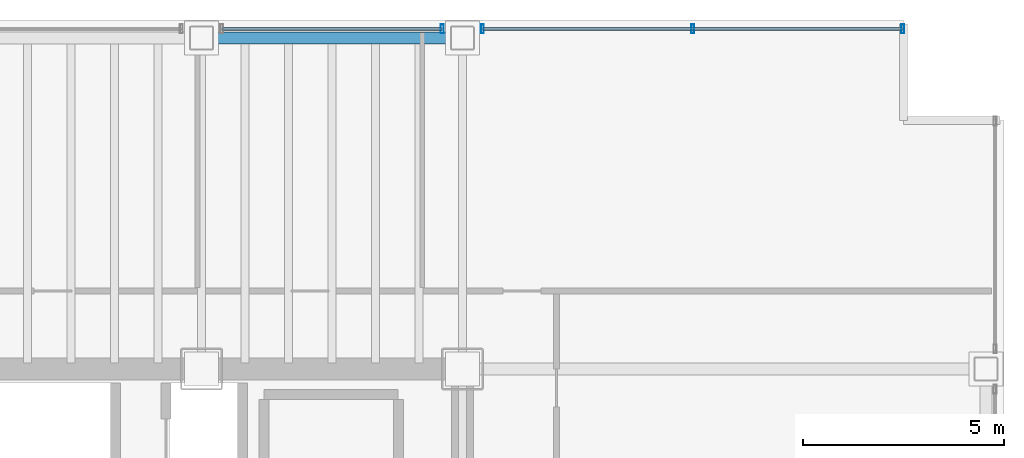
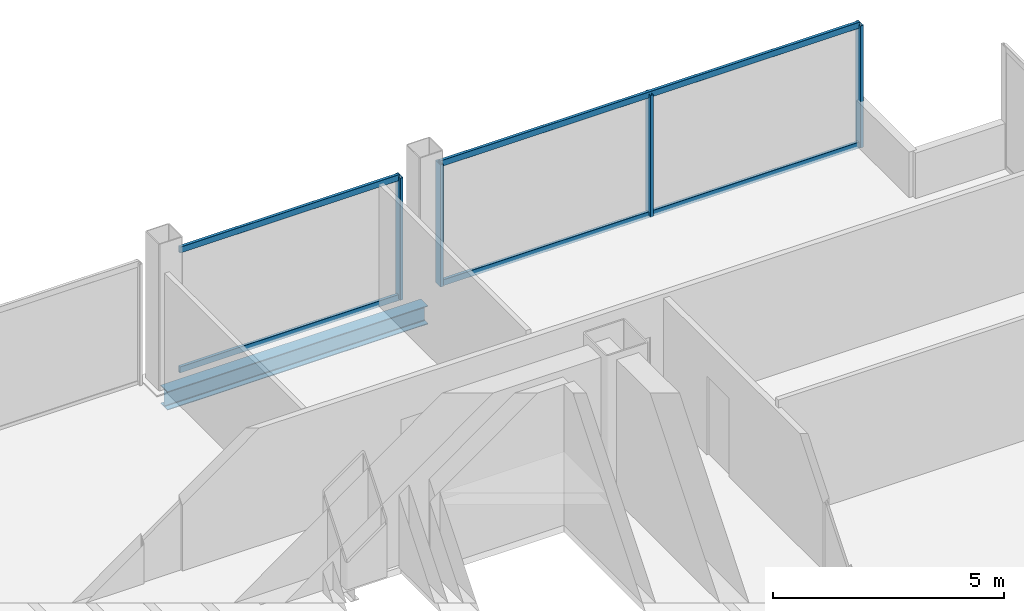
# One storey, part 15 of 20: 8 members, 1 beam, 2 elements without a shape of their own.
"""IFC4 building model written with IfcOpenShell, lengths in metres."""

import ifcopenshell
import ifcopenshell.guid

model = None  # the IFC model being written
_history = None  # IfcOwnerHistory: only IFC2X3 demands one
_inside = {}  # id of a spatial element -> (the spatial element, [elements in it])
_under = {}  # id of a project, library or spatial element -> (it, [spatial elements below it])
_declared = {}  # id of a project -> (the project, [libraries it declares])
_typed = {}  # id of a type object -> (the type object, [elements of that type])
_made_of = {}  # id of a material, layer set ... -> (it, [elements and type objects made of it])


def new_model(schema):
    """Start an empty IFC model of exactly this schema.

    Asked for "IFC4X3", IfcOpenShell would pick the latest addendum, in which some entities
    have other attributes; the version numbers below select the first issue.
    IFC2X3 requires an IfcOwnerHistory on every rooted entity: one is made here for all.
    """
    global model, _history
    if schema == "IFC4X3":
        model = ifcopenshell.file(schema_version=(4, 3, 0, 0))
    else:
        model = ifcopenshell.file(schema=schema)
    _inside.clear()
    _under.clear()
    _declared.clear()
    _typed.clear()
    _made_of.clear()
    _history = None
    if model.schema == "IFC2X3":
        org = make("IfcOrganization", Name="unknown")
        user = make(
            "IfcPersonAndOrganization",
            ThePerson=make("IfcPerson", FamilyName="unknown"),
            TheOrganization=org,
        )
        app = make(
            "IfcApplication",
            ApplicationDeveloper=org,
            Version="unknown",
            ApplicationFullName="unknown",
            ApplicationIdentifier="unknown",
        )
        _history = make(
            "IfcOwnerHistory",
            OwningUser=user,
            OwningApplication=app,
            ChangeAction="ADDED",
            CreationDate=0,
        )
    return model


def make(cls, **values):
    """One entity of the class cls with the attributes given. An attribute that is None is left unset."""
    return model.create_entity(
        cls, **{name: value for name, value in values.items() if value is not None}
    )


def rooted(cls, **values):
    """An entity with a GlobalId (a new one), such as an element, a storey or a relation."""
    return make(cls, GlobalId=ifcopenshell.guid.new(), OwnerHistory=_history, **values)


def si_unit(unit_type, name, prefix=None):
    """IfcSIUnit, for example si_unit("LENGTHUNIT", "METRE", prefix="MILLI")."""
    return make("IfcSIUnit", UnitType=unit_type, Prefix=prefix, Name=name)


def assignment(units):
    """IfcUnitAssignment: the units of a project."""
    return None if units is None else make("IfcUnitAssignment", Units=units)


def point(xyz):
    """IfcCartesianPoint."""
    return None if xyz is None else make("IfcCartesianPoint", Coordinates=xyz)


def direction(xyz):
    """IfcDirection."""
    return None if xyz is None else make("IfcDirection", DirectionRatios=xyz)


def frame(location, z_axis=None, x_axis=None):
    """IfcAxis2Placement3D, a coordinate frame: its origin and axes. An axis left out is left unset."""
    return make(
        "IfcAxis2Placement3D",
        Location=point(location),
        Axis=direction(z_axis),
        RefDirection=direction(x_axis),
    )


def frame_2d(location, x_axis=None):
    """IfcAxis2Placement2D, a coordinate frame in the plane: its origin and x axis."""
    return make(
        "IfcAxis2Placement2D", Location=point(location), RefDirection=direction(x_axis)
    )


def origin():
    """The frame at (0, 0, 0) with its axes left unset."""
    return frame((0.0, 0.0, 0.0))


def origin_2d():
    """The frame at (0, 0) in the plane with its x axis left unset."""
    return frame_2d((0.0, 0.0))


def place(relative_to, where):
    """IfcLocalPlacement: puts the frame where relative to a parent placement (None: the world)."""
    return make(
        "IfcLocalPlacement", PlacementRelTo=relative_to, RelativePlacement=where
    )


def context(
    kind, dimensions, precision=None, world=None, true_north=None, identifier=None
):
    """IfcGeometricRepresentationContext, for example the 3D "Model" context."""
    return make(
        "IfcGeometricRepresentationContext",
        ContextIdentifier=identifier,
        ContextType=kind,
        CoordinateSpaceDimension=dimensions,
        Precision=precision,
        WorldCoordinateSystem=world,
        TrueNorth=true_north,
    )


def subcontext(parent, identifier, kind, view, scale=None):
    """IfcGeometricRepresentationSubContext, for example "Body" below "Model"."""
    return make(
        "IfcGeometricRepresentationSubContext",
        ContextIdentifier=identifier,
        ContextType=kind,
        ParentContext=parent,
        TargetScale=scale,
        TargetView=view,
    )


def project(units=None, contexts=None):
    """IfcProject with its units and contexts."""
    return rooted(
        "IfcProject",
        Name="project",
        RepresentationContexts=contexts,
        UnitsInContext=assignment(units),
    )


def spatial(cls, under=None, at=None, **own):
    """A site, building, storey or space (cls), placed at a placement, below another one or the project."""
    s = rooted(cls, ObjectPlacement=at, **own)
    if under is not None:
        _under.setdefault(under.id(), (under, []))[1].append(s)
    return s


def profile(cls, at=None, kind="AREA", **sizes):
    """A parametric profile (cls). Its sizes go by their IFC names, for example OverallWidth=200.0."""
    return make(cls, ProfileType=kind, Position=at, **sizes)


def hollow_rectangle(**sizes):
    """IfcRectangleHollowProfileDef."""
    return profile("IfcRectangleHollowProfileDef", **sizes)


def i_section(**sizes):
    """IfcIShapeProfileDef."""
    return profile("IfcIShapeProfileDef", **sizes)


def extrude(swept, where, along, depth):
    """IfcExtrudedAreaSolid: the profile swept, set in the frame where, extruded along a direction by depth."""
    return make(
        "IfcExtrudedAreaSolid",
        SweptArea=swept,
        Position=where,
        ExtrudedDirection=direction(along),
        Depth=depth,
    )


def shape(context_of_items, identifier, shape_type, items):
    """IfcShapeRepresentation: the items that make up one representation, for example the "Body"."""
    return make(
        "IfcShapeRepresentation",
        ContextOfItems=context_of_items,
        RepresentationIdentifier=identifier,
        RepresentationType=shape_type,
        Items=items,
    )


def material(Name=None, Category=None):
    """IfcMaterial."""
    return make("IfcMaterial", Name=Name, Category=Category)


def material_profile(
    of_material, cross_section, Name=None, Category=None, Priority=None
):
    """IfcMaterialProfile: a cross section and its material."""
    return make(
        "IfcMaterialProfile",
        Name=Name,
        Material=of_material,
        Profile=cross_section,
        Priority=Priority,
        Category=Category,
    )


def profile_set(profiles, Name=None, composite=None):
    """IfcMaterialProfileSet."""
    return make(
        "IfcMaterialProfileSet",
        Name=Name,
        MaterialProfiles=profiles,
        CompositeProfile=composite,
    )


def made_of(thing, what):
    """Note that an element or type object is made of a material, layer set ...; save() writes the relation."""
    if what is not None:
        _made_of.setdefault(what.id(), (what, []))[1].append(thing)
    return thing


def type_object(cls, material=None, **own):
    """A type object (cls), such as IfcWallType, which elements share."""
    return made_of(rooted(cls, **own), material)


def element(
    cls,
    number,
    at=None,
    inside=None,
    cuts=None,
    type_object=None,
    material=None,
    context=None,
    identifier="Body",
    shape_type=None,
    held_by="IfcProductDefinitionShape",
    body=None,
    shapes=None,
    **own,
):
    """One element of the class cls, such as IfcWall. Its Tag is "e" and its number.

    at: its placement. inside: the storey or other place that contains it. cuts: it is an
    opening in that element (IfcRelVoidsElement). A single representation is given by context,
    identifier, shape_type and body (its items); several are given by shapes. held_by: the class
    of the entity that holds the representations. save() writes the other relations.
    """
    e = rooted(cls, Tag="e%d" % number, ObjectPlacement=at, **own)
    if body is not None:
        shapes = [shape(context, identifier, shape_type, body)]
    if shapes is not None:
        e.Representation = make(held_by, Representations=shapes)
    if inside is not None:
        _inside.setdefault(inside.id(), (inside, []))[1].append(e)
    if cuts is not None:
        rooted(
            "IfcRelVoidsElement", RelatingBuildingElement=cuts, RelatedOpeningElement=e
        )
    if type_object is not None:
        _typed.setdefault(type_object.id(), (type_object, []))[1].append(e)
    return made_of(e, material)


def aggregate(whole, parts):
    """IfcRelAggregates: a whole, such as a stair, and the parts it consists of."""
    return rooted("IfcRelAggregates", RelatingObject=whole, RelatedObjects=parts)


def save(model, path):
    """Write the relations noted so far, then the file.

    IfcRelAggregates (storeys below a building ...), IfcRelContainedInSpatialStructure (elements
    in a storey), IfcRelDefinesByType, IfcRelAssociatesMaterial and IfcRelDeclares: one each for
    every whole, place, type object, material and project.
    """
    for whole, parts in _under.values():
        aggregate(whole, parts)
    for where, things in _inside.values():
        rooted(
            "IfcRelContainedInSpatialStructure",
            RelatedElements=things,
            RelatingStructure=where,
        )
    for kind, things in _typed.values():
        rooted("IfcRelDefinesByType", RelatedObjects=things, RelatingType=kind)
    for what, things in _made_of.values():
        rooted("IfcRelAssociatesMaterial", RelatedObjects=things, RelatingMaterial=what)
    for by, libraries in _declared.values():
        rooted("IfcRelDeclares", RelatingContext=by, RelatedDefinitions=libraries)
    model.write(path)


model = new_model("IFC4")

# Units and contexts
model_context = context("Model", 3, precision=1e-05, world=origin(), true_north=direction((0.0, 1.0)))
body_context = subcontext(model_context, "Body", "Model", "MODEL_VIEW")
ifc_project = project(units=[si_unit("LENGTHUNIT", "METRE"), si_unit("AREAUNIT", "SQUARE_METRE"), si_unit("VOLUMEUNIT", "CUBIC_METRE"), si_unit("PLANEANGLEUNIT", "RADIAN"), si_unit("MASSUNIT", "GRAM", prefix="KILO")], contexts=[model_context])

# Site, building, storey
site_placement = place(None, origin())
site = spatial("IfcSite", under=ifc_project, at=site_placement, CompositionType="ELEMENT")
building_placement = place(site_placement, origin())
building = spatial("IfcBuilding", under=site, at=building_placement, Name="Noeulbin Bourse Tower", CompositionType="ELEMENT")
storey_placement = place(building_placement, frame((0.0, 0.0, 69.39990234375)))
storey = spatial("IfcBuildingStorey", under=building, at=storey_placement, Name="L17", CompositionType="ELEMENT", Elevation=69.39990234375)

# Beam
ifc_material_1 = material(Name="Steel S355", Category="steel")
ifc_material_profile_1 = material_profile(ifc_material_1, i_section(OverallWidth=0.300048828125, OverallDepth=0.488037109375, WebThickness=0.010986328125, FlangeThickness=0.01806640625, FilletRadius=0.02197265625, at=origin_2d()), Name="H-488x300x11x18", Category="LoadBearing")
ifc_profile_set_1 = profile_set([ifc_material_profile_1], Name="Steel S355")
beam_type = type_object("IfcBeamType", Name="BM-SPN-488", PredefinedType="SPANDREL", material=ifc_profile_set_1)
beam_placement = place(storey_placement, frame((37.5, 46.550048828125, -0.423828125), z_axis=(1.0, 0.0, 0.0), x_axis=(0.0, 1.0, 0.0)))
element("IfcBeam", 1, at=beam_placement, inside=storey, type_object=beam_type, Name="North Spandrel L17-4", PredefinedType="SPANDREL", context=body_context, shape_type="SweptSolid", body=[
    extrude(i_section(OverallWidth=0.300048828125, OverallDepth=0.488037109375, WebThickness=0.010986328125, FlangeThickness=0.01806640625, FilletRadius=0.02197265625, at=origin_2d()), origin(), (0.0, 0.0, 1.0), 6.5),
])

# Curtain wall, member
ifc_material_2 = material(Name="Dark Solar-Control Double Glazing", Category="glass")
curtain_wall_type = type_object("IfcCurtainWallType", Name="CW-SYS-2", PredefinedType="NOTDEFINED", material=ifc_material_2)
curtain_wall_1_placement = place(storey_placement, origin())
curtain_wall_1 = element("IfcCurtainWall", 2, at=curtain_wall_1_placement, inside=storey, type_object=curtain_wall_type, Name="Unitised Curtain Wall CW-L17-N-S5", PredefinedType="NOTDEFINED")
ifc_material_3 = material(Name="Anodised Aluminium 6063-T6", Category="aluminium")
ifc_material_profile_2 = material_profile(ifc_material_3, hollow_rectangle(XDim=0.074951171875, YDim=0.219970703125, WallThickness=0.0048828125, InnerFilletRadius=0.00244140625, OuterFilletRadius=0.0048828125, at=origin_2d()), Name="ALU-MULL-75x220x5", Category="LoadBearing")
ifc_profile_set_2 = profile_set([ifc_material_profile_2], Name="Anodised Aluminium 6063-T6")
member_type_1 = type_object("IfcMemberType", Name="CW-SYS-2-MUL", PredefinedType="MULLION", material=ifc_profile_set_2)
member_1_placement = place(storey_placement, frame((43.5, 46.780029296875, -0.02001953125), z_axis=(0.0, 0.0, 1.0), x_axis=(1.0, 0.0, 0.0)))
member_1 = element("IfcMember", 3, at=member_1_placement, type_object=member_type_1, Name="Curtain Wall Mullion CW-L17-N-S5-M01", PredefinedType="MULLION", context=body_context, shape_type="SweptSolid", body=[
    extrude(hollow_rectangle(XDim=0.074951171875, YDim=0.219970703125, WallThickness=0.0048828125, InnerFilletRadius=0.00244140625, OuterFilletRadius=0.0048828125, at=origin_2d()), origin(), (0.0, 0.0, 1.0), 3.22021484375),
])

# Curtain wall, members
curtain_wall_2_placement = place(storey_placement, origin())
curtain_wall_2 = element("IfcCurtainWall", 4, at=curtain_wall_2_placement, inside=storey, type_object=curtain_wall_type, Name="Unitised Curtain Wall CW-L17-N-S6", PredefinedType="NOTDEFINED")
member_2_placement = place(storey_placement, frame((44.5, 46.780029296875, -0.02001953125), z_axis=(0.0, 0.0, 1.0), x_axis=(1.0, 0.0, 0.0)))
member_2 = element("IfcMember", 5, at=member_2_placement, type_object=member_type_1, Name="Curtain Wall Mullion CW-L17-N-S6-M00", PredefinedType="MULLION", context=body_context, shape_type="SweptSolid", body=[
    extrude(hollow_rectangle(XDim=0.074951171875, YDim=0.219970703125, WallThickness=0.0048828125, InnerFilletRadius=0.00244140625, OuterFilletRadius=0.0048828125, at=origin_2d()), origin(), (0.0, 0.0, 1.0), 3.22021484375),
])
member_3_placement = place(storey_placement, frame((49.739990234375, 46.780029296875, -0.02001953125), z_axis=(0.0, 0.0, 1.0), x_axis=(1.0, 0.0, 0.0)))
member_3 = element("IfcMember", 6, at=member_3_placement, type_object=member_type_1, Name="Curtain Wall Mullion CW-L17-N-S6-M01", PredefinedType="MULLION", context=body_context, shape_type="SweptSolid", body=[
    extrude(hollow_rectangle(XDim=0.074951171875, YDim=0.219970703125, WallThickness=0.0048828125, InnerFilletRadius=0.00244140625, OuterFilletRadius=0.0048828125, at=origin_2d()), origin(), (0.0, 0.0, 1.0), 3.22021484375),
])
member_4_placement = place(storey_placement, frame((54.97998046875, 46.780029296875, -0.02001953125), z_axis=(0.0, 0.0, 1.0), x_axis=(1.0, 0.0, 0.0)))
member_4 = element("IfcMember", 7, at=member_4_placement, type_object=member_type_1, Name="Curtain Wall Mullion CW-L17-N-S6-M02", PredefinedType="MULLION", context=body_context, shape_type="SweptSolid", body=[
    extrude(hollow_rectangle(XDim=0.074951171875, YDim=0.219970703125, WallThickness=0.0048828125, InnerFilletRadius=0.00244140625, OuterFilletRadius=0.0048828125, at=origin_2d()), origin(), (0.0, 0.0, 1.0), 3.22021484375),
])

# Member
ifc_material_profile_3 = material_profile(ifc_material_3, hollow_rectangle(XDim=0.074951171875, YDim=0.159912109375, WallThickness=0.0048828125, InnerFilletRadius=0.00244140625, OuterFilletRadius=0.0048828125, at=origin_2d()), Name="ALU-TRAN-75x160x5", Category="LoadBearing")
ifc_profile_set_3 = profile_set([ifc_material_profile_3], Name="Anodised Aluminium 6063-T6")
member_type_2 = type_object("IfcMemberType", Name="CW-SYS-2-TRN", PredefinedType="USERDEFINED", material=ifc_profile_set_3)
member_5_placement = place(storey_placement, frame((38.010009765625, 46.780029296875, 0.010009765625), z_axis=(1.0, 0.0, 0.0), x_axis=(0.0, 1.0, 0.0)))
member_5 = element("IfcMember", 8, at=member_5_placement, type_object=member_type_2, Name="Curtain Wall Transom CW-L17-N-S5-T00", ObjectType="TRANSOM", PredefinedType="USERDEFINED", context=body_context, shape_type="SweptSolid", body=[
    extrude(hollow_rectangle(XDim=0.074951171875, YDim=0.159912109375, WallThickness=0.0048828125, InnerFilletRadius=0.00244140625, OuterFilletRadius=0.0048828125, at=origin_2d()), origin(), (0.0, 0.0, 1.0), 5.47998046875),
])

member_6_placement = place(storey_placement, frame((38.010009765625, 46.780029296875, 3.170166015625), z_axis=(1.0, 0.0, 0.0), x_axis=(0.0, 1.0, 0.0)))
member_6 = element("IfcMember", 9, at=member_6_placement, type_object=member_type_2, Name="Curtain Wall Transom CW-L17-N-S5-T01", ObjectType="TRANSOM", PredefinedType="USERDEFINED", context=body_context, shape_type="SweptSolid", body=[
    extrude(hollow_rectangle(XDim=0.074951171875, YDim=0.159912109375, WallThickness=0.0048828125, InnerFilletRadius=0.00244140625, OuterFilletRadius=0.0048828125, at=origin_2d()), origin(), (0.0, 0.0, 1.0), 5.47998046875),
])

aggregate(curtain_wall_1, [member_1, member_5, member_6])

member_7_placement = place(storey_placement, frame((44.510009765625, 46.780029296875, 0.010009765625), z_axis=(1.0, 0.0, 0.0), x_axis=(0.0, 1.0, 0.0)))
member_7 = element("IfcMember", 10, at=member_7_placement, type_object=member_type_2, Name="Curtain Wall Transom CW-L17-N-S6-T00", ObjectType="TRANSOM", PredefinedType="USERDEFINED", context=body_context, shape_type="SweptSolid", body=[
    extrude(hollow_rectangle(XDim=0.074951171875, YDim=0.159912109375, WallThickness=0.0048828125, InnerFilletRadius=0.00244140625, OuterFilletRadius=0.0048828125, at=origin_2d()), origin(), (0.0, 0.0, 1.0), 10.4599609375),
])

member_8_placement = place(storey_placement, frame((44.510009765625, 46.780029296875, 3.170166015625), z_axis=(1.0, 0.0, 0.0), x_axis=(0.0, 1.0, 0.0)))
member_8 = element("IfcMember", 11, at=member_8_placement, type_object=member_type_2, Name="Curtain Wall Transom CW-L17-N-S6-T01", ObjectType="TRANSOM", PredefinedType="USERDEFINED", context=body_context, shape_type="SweptSolid", body=[
    extrude(hollow_rectangle(XDim=0.074951171875, YDim=0.159912109375, WallThickness=0.0048828125, InnerFilletRadius=0.00244140625, OuterFilletRadius=0.0048828125, at=origin_2d()), origin(), (0.0, 0.0, 1.0), 10.4599609375),
])

aggregate(curtain_wall_2, [member_2, member_3, member_4, member_7, member_8])

save(model, "model.ifc")
